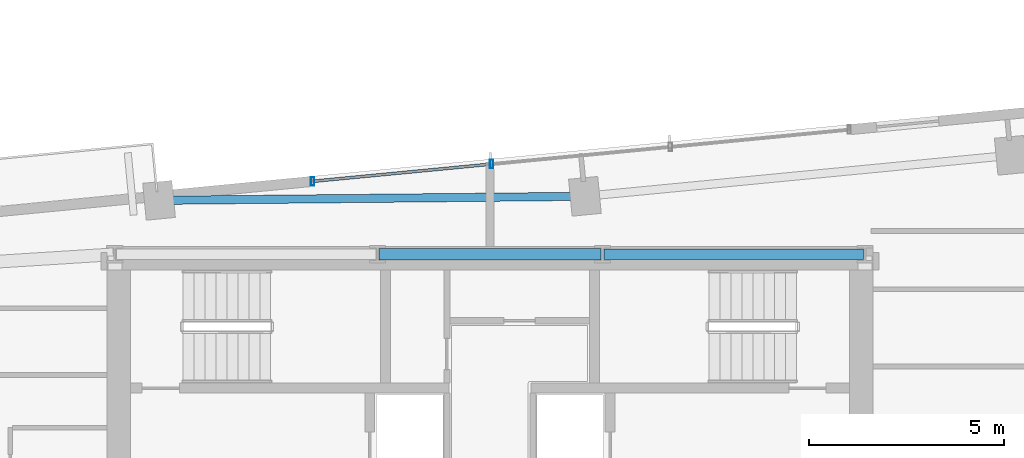
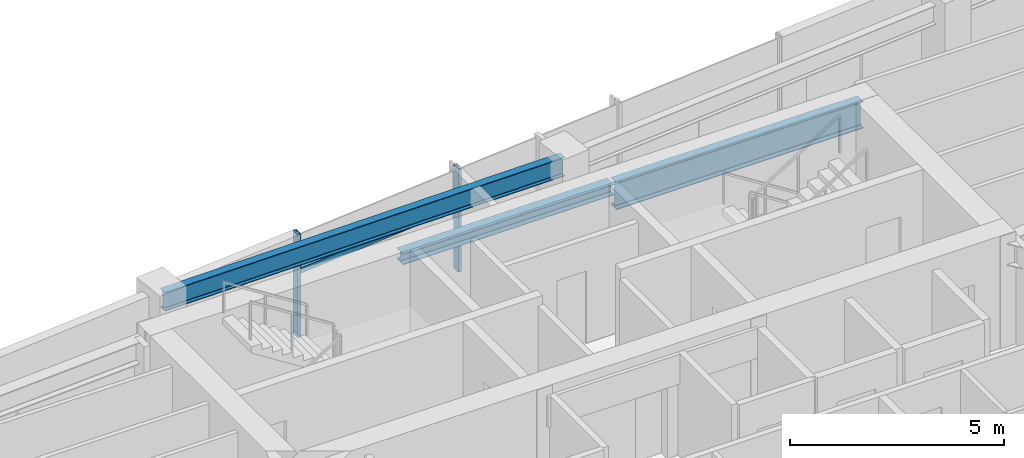
# One storey, part 6 of 18: 3 beams, 3 members, 1 element without a shape of its own.
"""IFC4 building model written with IfcOpenShell, lengths in metres."""

from ifc_helpers import new_model, si_unit, direction, frame, origin, origin_2d, place, context, subcontext, project, spatial, hollow_rectangle, i_section, extrude, source, transform, mapped, material, material_profile, profile_set, type_object, type_shapes, element, aggregate, save


model = new_model("IFC4")

# Units and contexts
model_context = context("Model", 3, precision=1e-05, world=origin(), true_north=direction((0.0, 1.0)))
body_context = subcontext(model_context, "Body", "Model", "MODEL_VIEW")
ifc_project = project(units=[si_unit("LENGTHUNIT", "METRE"), si_unit("AREAUNIT", "SQUARE_METRE"), si_unit("VOLUMEUNIT", "CUBIC_METRE"), si_unit("PLANEANGLEUNIT", "RADIAN"), si_unit("MASSUNIT", "GRAM", prefix="KILO")], contexts=[model_context])

# Site, building, storey
site_placement = place(None, origin())
site = spatial("IfcSite", under=ifc_project, at=site_placement, CompositionType="ELEMENT")
building_placement = place(site_placement, origin())
building = spatial("IfcBuilding", under=site, at=building_placement, Name="Astriad Promenade Condominiums", CompositionType="ELEMENT")
storey_placement = place(building_placement, frame((0.0, 0.0, 198.60009765625)))
storey = spatial("IfcBuildingStorey", under=building, at=storey_placement, Name="L57", CompositionType="ELEMENT", Elevation=198.60009765625)

# Beams
ifc_material_1 = material(Name="Steel ASTM A992 Grade 50", Category="steel")
ifc_material_profile_1 = material_profile(ifc_material_1, i_section(OverallWidth=0.267822265625, OverallDepth=0.76953125, WebThickness=0.015625, FlangeThickness=0.025390625, FilletRadius=0.021484375, at=origin_2d()), Name="W30X132")
ifc_profile_set_1 = profile_set([ifc_material_profile_1], Name="Steel ASTM A992 Grade 50")
beam_type_1 = type_object("IfcBeamType", Name="STEEL FLOOR GIRDER W30X132", PredefinedType="BEAM", material=ifc_profile_set_1)
shared_shape_1 = source(origin(), body_context, "Body", "SweptSolid", [
    extrude(i_section(OverallWidth=0.267822265625, OverallDepth=0.76953125, WebThickness=0.015625, FlangeThickness=0.025390625, FilletRadius=0.021484375, at=origin_2d()), origin(), (0.0, 0.0, 1.0), 6.64013671875),
])
type_shapes(beam_type_1, [shared_shape_1])
beam_1_placement = place(storey_placement, frame((38.919921875, 24.0, 2.55517578125), z_axis=(1.0, 0.0, 0.0), x_axis=(0.0, 1.0, 0.0)))
element("IfcBeam", 1, at=beam_1_placement, inside=storey, type_object=beam_type_1, Name="Core Ring Beam CG-N3-L57", PredefinedType="BEAM", context=body_context, shape_type="MappedRepresentation", body=[
    mapped(shared_shape_1, transform((0.0, 0.0, 0.0), scale=1.0)),
])
ifc_material_profile_2 = material_profile(ifc_material_1, i_section(OverallWidth=0.3046875, OverallDepth=0.307861328125, WebThickness=0.010009765625, FlangeThickness=0.015380859375, FilletRadius=0.01513671875, at=origin_2d()), Name="W12X65")
ifc_profile_set_2 = profile_set([ifc_material_profile_2], Name="Steel ASTM A992 Grade 50")
beam_type_2 = type_object("IfcBeamType", Name="STEEL OPENING LINTEL W12X65", PredefinedType="LINTEL", material=ifc_profile_set_2)
shared_shape_2 = source(origin(), body_context, "Body", "SweptSolid", [
    extrude(i_section(OverallWidth=0.3046875, OverallDepth=0.307861328125, WebThickness=0.010009765625, FlangeThickness=0.015380859375, FilletRadius=0.01513671875, at=origin_2d()), origin(), (0.0, 0.0, 1.0), 5.68017578125),
])
type_shapes(beam_type_2, [shared_shape_2])
beam_2_placement = place(storey_placement, frame((33.159912109375, 24.0, 2.785888671875), z_axis=(1.0, 0.0, 0.0), x_axis=(0.0, 1.0, 0.0)))
element("IfcBeam", 2, at=beam_2_placement, inside=storey, type_object=beam_type_2, Name="Core Ring Beam CG-N2-L57", PredefinedType="LINTEL", context=body_context, shape_type="MappedRepresentation", body=[
    mapped(shared_shape_2, transform((0.0, 0.0, 0.0), scale=1.0)),
])
ifc_material_profile_3 = material_profile(ifc_material_1, i_section(OverallWidth=0.210693359375, OverallDepth=0.53955078125, WebThickness=0.01171875, FlangeThickness=0.018798828125, FilletRadius=0.0166015625, at=origin_2d()), Name="W21X73")
ifc_profile_set_3 = profile_set([ifc_material_profile_3], Name="Steel ASTM A992 Grade 50")
beam_type_3 = type_object("IfcBeamType", Name="STEEL SPANDREL BEAM W21X73", PredefinedType="SPANDREL", material=ifc_profile_set_3)
shared_shape_3 = source(origin(), body_context, "Body", "SweptSolid", [
    extrude(i_section(OverallWidth=0.210693359375, OverallDepth=0.53955078125, WebThickness=0.01171875, FlangeThickness=0.018798828125, FilletRadius=0.0166015625, at=origin_2d()), origin(), (0.0, 0.0, 1.0), 10.820068359375),
])
type_shapes(beam_type_3, [shared_shape_3])
beam_3_placement = place(storey_placement, frame((38.391357421875, 25.482666015625, 2.670166015625), z_axis=(-0.999955308161, -0.009454188553, 0.0), x_axis=(0.009454188553, -0.999955308161, 0.0)))
element("IfcBeam", 3, at=beam_3_placement, inside=storey, type_object=beam_type_3, Name="Perimeter Spandrel Beam SP-N2-L57", PredefinedType="SPANDREL", context=body_context, shape_type="MappedRepresentation", body=[
    mapped(shared_shape_3, transform((0.0, 0.0, 0.0), scale=1.0)),
])

# Curtain wall, members
ifc_material_2 = material(Name="Anodised aluminium Black Dark Glass Unitised", Category="aluminium")
curtain_wall_type = type_object("IfcCurtainWallType", Name="CW-B34-DARK", PredefinedType="USERDEFINED", material=ifc_material_2)
curtain_wall_placement = place(storey_placement, origin())
curtain_wall = element("IfcCurtainWall", 4, at=curtain_wall_placement, inside=storey, type_object=curtain_wall_type, Name="CW-L57-N", ObjectType="UNITISED_CURTAIN_WALL", PredefinedType="USERDEFINED")
ifc_material_3 = material(Name="Anodised aluminium 6063-T6 Black", Category="aluminium")
ifc_material_profile_4 = material_profile(ifc_material_3, hollow_rectangle(XDim=0.0849609375, YDim=0.219970703125, WallThickness=0.0048828125, at=origin_2d()), Name="ALU-MUL-85X220")
ifc_profile_set_4 = profile_set([ifc_material_profile_4], Name="Anodised aluminium 6063-T6 Black")
member_type_1 = type_object("IfcMemberType", Name="MUL-ALU-MUL-85X220", PredefinedType="MULLION", material=ifc_profile_set_4)
shared_shape_4 = source(origin(), body_context, "Body", "SweptSolid", [
    extrude(hollow_rectangle(XDim=0.0849609375, YDim=0.219970703125, WallThickness=0.0048828125, at=origin_2d()), origin(), (0.0, 0.0, 1.0), 2.93994140625),
])
type_shapes(member_type_1, [shared_shape_4])
member_1_placement = place(storey_placement, frame((31.46240234375, 25.866943359375, 0.0), z_axis=(0.0, 0.0, 1.0), x_axis=(1.0, 0.0, 0.0)))
member_1 = element("IfcMember", 5, at=member_1_placement, type_object=member_type_1, Name="CW-L57-N-MUL-00", PredefinedType="MULLION", context=body_context, shape_type="MappedRepresentation", body=[
    mapped(shared_shape_4, transform((0.0, 0.0, 0.0), scale=1.0)),
])
member_2_placement = place(storey_placement, frame((36.041259765625, 26.307861328125, 0.0), z_axis=(0.0, 0.0, 1.0), x_axis=(1.0, 0.0, 0.0)))
member_2 = element("IfcMember", 6, at=member_2_placement, type_object=member_type_1, Name="CW-L57-N-MUL-01", PredefinedType="MULLION", context=body_context, shape_type="MappedRepresentation", body=[
    mapped(shared_shape_4, transform((0.0, 0.0, 0.0), scale=1.0)),
])
ifc_material_profile_5 = material_profile(ifc_material_3, hollow_rectangle(XDim=0.074951171875, YDim=0.14990234375, WallThickness=0.004150390625, at=origin_2d()), Name="ALU-TRN-75X150")
ifc_profile_set_5 = profile_set([ifc_material_profile_5], Name="Anodised aluminium 6063-T6 Black")
member_type_2 = type_object("IfcMemberType", Name="TRN-ALU-TRN-75X150", PredefinedType="USERDEFINED", material=ifc_profile_set_5)
shared_shape_5 = source(origin(), body_context, "Body", "SweptSolid", [
    extrude(hollow_rectangle(XDim=0.074951171875, YDim=0.14990234375, WallThickness=0.004150390625, at=origin_2d()), origin(), (0.0, 0.0, 1.0), 4.60009765625),
])
type_shapes(member_type_2, [shared_shape_5])
member_3_placement = place(storey_placement, frame((31.46240234375, 25.866943359375, 1.82275390625), z_axis=(0.995395697572, 0.095850953336, 0.0), x_axis=(-0.095850953336, 0.995395697572, 0.0)))
member_3 = element("IfcMember", 7, at=member_3_placement, type_object=member_type_2, Name="CW-L57-N-TRN-00-0", ObjectType="TRANSOM", PredefinedType="USERDEFINED", context=body_context, shape_type="MappedRepresentation", body=[
    mapped(shared_shape_5, transform((0.0, 0.0, 0.0), scale=1.0)),
])
aggregate(curtain_wall, [member_1, member_2, member_3])

save(model, "model.ifc")
